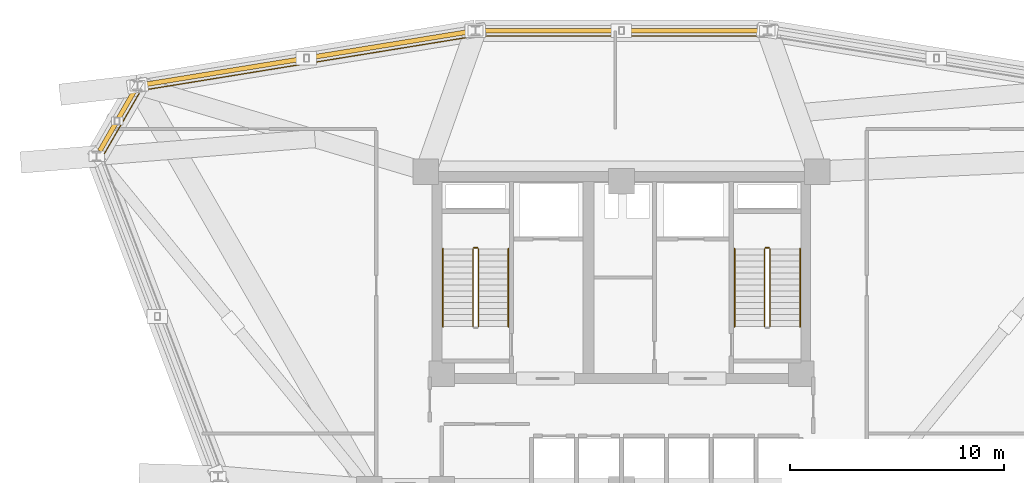
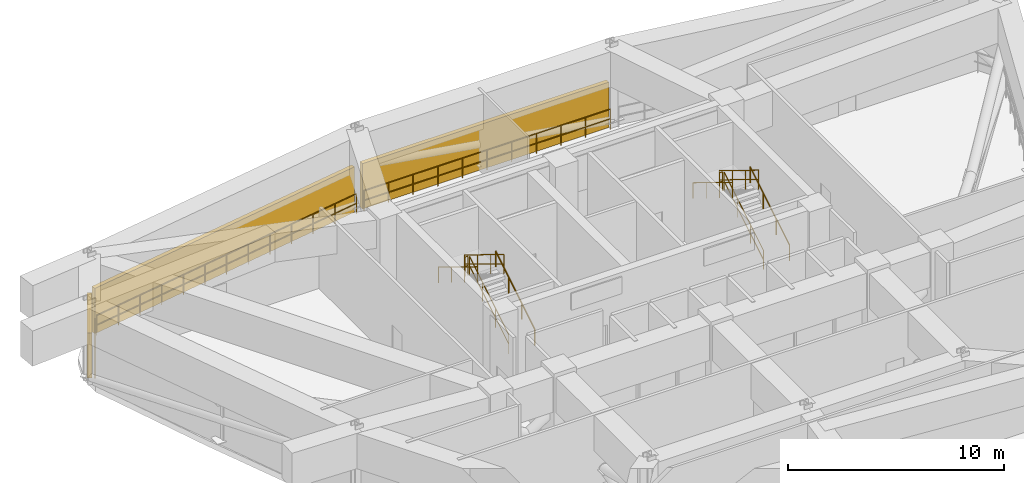
# One storey, part 12 of 13: 13 railings, 3 shading devices.
"""IFC4 building model written with IfcOpenShell, lengths in metres."""

from ifc_helpers import new_model, si_unit, derived_unit, direction, frame, origin, origin_2d, place, context, subcontext, project, spatial, polyline, circle, outline, extrude, material, layer, layer_set, type_object, element, save


model = new_model("IFC4")

# Units and contexts
model_context = context("Model", 3, precision=1e-05, world=origin(), true_north=direction((0.0, 1.0)))
body_context = subcontext(model_context, "Body", "Model", "MODEL_VIEW")
ifc_project = project(units=[si_unit("LENGTHUNIT", "METRE"), si_unit("AREAUNIT", "SQUARE_METRE"), si_unit("VOLUMEUNIT", "CUBIC_METRE"), si_unit("PLANEANGLEUNIT", "RADIAN"), si_unit("MASSUNIT", "GRAM", prefix="KILO"), derived_unit("THERMALTRANSMITTANCEUNIT", [(si_unit("POWERUNIT", "WATT"), 1), (si_unit("LENGTHUNIT", "METRE"), -2), (si_unit("THERMODYNAMICTEMPERATUREUNIT", "KELVIN"), -1)])], contexts=[model_context])

# Site, building, storey
site_placement = place(None, origin())
site = spatial("IfcSite", under=ifc_project, at=site_placement, CompositionType="ELEMENT")
building_placement = place(site_placement, origin())
building = spatial("IfcBuilding", under=site, at=building_placement, Name="Korsvarv Bourse and Concert Hall", CompositionType="ELEMENT")
storey_placement = place(building_placement, frame((0.0, 0.0, 131.39990234375)))
storey = spatial("IfcBuildingStorey", under=building, at=storey_placement, Name="L33", CompositionType="ELEMENT", Elevation=131.39990234375)

# Railings
ifc_material_1 = material(Name="Laminated safety glass and stainless Steel S355 balustrade", Category="steel")
railing_type_1 = type_object("IfcRailingType", Name="RL-BAL-EXT", PredefinedType="BALUSTRADE", material=ifc_material_1)
railing_1_placement = place(storey_placement, frame((42.59765625, 53.59130859375, 0.0)))
element("IfcRailing", 1, at=railing_1_placement, inside=storey, type_object=railing_type_1, Name="L33 Refuge Band Perimeter Safety Balustrade 3", PredefinedType="BALUSTRADE", context=body_context, shape_type="SweptSolid", body=[
    extrude(circle(Radius=0.02392578125, at=origin_2d()), frame((0.0, 0.0, 1.1259765625), z_axis=(-1.0, 0.0, 0.0), x_axis=(0.0, -1.0, 0.0)), (0.0, 0.0, 1.0), 13.1953125),
    extrude(circle(Radius=0.02392578125, at=origin_2d()), frame((0.0, 0.0, 0.574951171875), z_axis=(-1.0, 0.0, 0.0), x_axis=(0.0, -1.0, 0.0)), (0.0, 0.0, 1.0), 13.1953125),
    extrude(circle(Radius=0.02099609375, at=origin_2d()), origin(), (0.0, 0.0, 1.0), 1.101806640625),
    extrude(circle(Radius=0.02099609375, at=origin_2d()), frame((-1.319580078125, 0.0, 0.0)), (0.0, 0.0, 1.0), 1.101806640625),
    extrude(circle(Radius=0.02099609375, at=origin_2d()), frame((-2.63916015625, 0.0, 0.0)), (0.0, 0.0, 1.0), 1.101806640625),
    extrude(circle(Radius=0.02099609375, at=origin_2d()), frame((-3.95849609375, 0.0, 0.0)), (0.0, 0.0, 1.0), 1.101806640625),
    extrude(circle(Radius=0.02099609375, at=origin_2d()), frame((-5.278076171875, 0.0, 0.0)), (0.0, 0.0, 1.0), 1.101806640625),
    extrude(circle(Radius=0.02099609375, at=origin_2d()), frame((-6.59765625, 0.0, 0.0)), (0.0, 0.0, 1.0), 1.101806640625),
    extrude(circle(Radius=0.02099609375, at=origin_2d()), frame((-7.917236328125, 0.0, 0.0)), (0.0, 0.0, 1.0), 1.101806640625),
    extrude(circle(Radius=0.02099609375, at=origin_2d()), frame((-9.23681640625, 0.0, 0.0)), (0.0, 0.0, 1.0), 1.101806640625),
    extrude(circle(Radius=0.02099609375, at=origin_2d()), frame((-10.55615234375, 0.0, 0.0)), (0.0, 0.0, 1.0), 1.101806640625),
    extrude(circle(Radius=0.02099609375, at=origin_2d()), frame((-11.875732421875, 0.0, 0.0)), (0.0, 0.0, 1.0), 1.101806640625),
    extrude(circle(Radius=0.02099609375, at=origin_2d()), frame((-13.1953125, 0.0, 0.0)), (0.0, 0.0, 1.0), 1.101806640625),
])
railing_2_placement = place(storey_placement, frame((28.984375, 53.55712890625, 0.0)))
element("IfcRailing", 2, at=railing_2_placement, inside=storey, type_object=railing_type_1, Name="L33 Refuge Band Perimeter Safety Balustrade 4", PredefinedType="BALUSTRADE", context=body_context, shape_type="SweptSolid", body=[
    extrude(circle(Radius=0.02392578125, at=origin_2d()), frame((0.0, 0.0, 1.1259765625), z_axis=(-0.987036262607, -0.160497402778, 0.0), x_axis=(0.160497402778, -0.987036262607, 0.0)), (0.0, 0.0, 1.0), 15.55078125),
    extrude(circle(Radius=0.02392578125, at=origin_2d()), frame((0.0, 0.0, 0.574951171875), z_axis=(-0.987036262607, -0.160497402778, 0.0), x_axis=(0.160497402778, -0.987036262607, 0.0)), (0.0, 0.0, 1.0), 15.55078125),
    extrude(circle(Radius=0.02099609375, at=origin_2d()), origin(), (0.0, 0.0, 1.0), 1.101806640625),
    extrude(circle(Radius=0.02099609375, at=origin_2d()), frame((-1.279052734375, -0.2080078125, 0.0)), (0.0, 0.0, 1.0), 1.101806640625),
    extrude(circle(Radius=0.02099609375, at=origin_2d()), frame((-2.55810546875, -0.416015625, 0.0)), (0.0, 0.0, 1.0), 1.101806640625),
    extrude(circle(Radius=0.02099609375, at=origin_2d()), frame((-3.83740234375, -0.6240234375, 0.0)), (0.0, 0.0, 1.0), 1.101806640625),
    extrude(circle(Radius=0.02099609375, at=origin_2d()), frame((-5.116455078125, -0.83203125, 0.0)), (0.0, 0.0, 1.0), 1.101806640625),
    extrude(circle(Radius=0.02099609375, at=origin_2d()), frame((-6.3955078125, -1.0400390625, 0.0)), (0.0, 0.0, 1.0), 1.101806640625),
    extrude(circle(Radius=0.02099609375, at=origin_2d()), frame((-7.674560546875, -1.248046875, 0.0)), (0.0, 0.0, 1.0), 1.101806640625),
    extrude(circle(Radius=0.02099609375, at=origin_2d()), frame((-8.95361328125, -1.455810546875, 0.0)), (0.0, 0.0, 1.0), 1.101806640625),
    extrude(circle(Radius=0.02099609375, at=origin_2d()), frame((-10.232666015625, -1.663818359375, 0.0)), (0.0, 0.0, 1.0), 1.101806640625),
    extrude(circle(Radius=0.02099609375, at=origin_2d()), frame((-11.51171875, -1.871826171875, 0.0)), (0.0, 0.0, 1.0), 1.101806640625),
    extrude(circle(Radius=0.02099609375, at=origin_2d()), frame((-12.791015625, -2.079833984375, 0.0)), (0.0, 0.0, 1.0), 1.101806640625),
    extrude(circle(Radius=0.02099609375, at=origin_2d()), frame((-14.070068359375, -2.287841796875, 0.0)), (0.0, 0.0, 1.0), 1.101806640625),
    extrude(circle(Radius=0.02099609375, at=origin_2d()), frame((-15.34912109375, -2.495849609375, 0.0)), (0.0, 0.0, 1.0), 1.101806640625),
])
railing_3_placement = place(storey_placement, frame((13.439697265625, 50.898193359375, 0.0)))
element("IfcRailing", 3, at=railing_3_placement, inside=storey, type_object=railing_type_1, Name="L33 Refuge Band Perimeter Safety Balustrade 5", PredefinedType="BALUSTRADE", context=body_context, shape_type="SweptSolid", body=[
    extrude(circle(Radius=0.02392578125, at=origin_2d()), frame((0.0, 0.0, 1.1259765625), z_axis=(-0.499991708921, -0.866030190588, 0.0), x_axis=(0.866030190588, -0.499991708921, 0.0)), (0.0, 0.0, 1.0), 3.244140625),
    extrude(circle(Radius=0.02392578125, at=origin_2d()), frame((0.0, 0.0, 0.574951171875), z_axis=(-0.499991708921, -0.866030190588, 0.0), x_axis=(0.866030190588, -0.499991708921, 0.0)), (0.0, 0.0, 1.0), 3.244140625),
    extrude(circle(Radius=0.02099609375, at=origin_2d()), origin(), (0.0, 0.0, 1.0), 1.101806640625),
    extrude(circle(Radius=0.02099609375, at=origin_2d()), frame((-0.540771484375, -0.9365234375, 0.0)), (0.0, 0.0, 1.0), 1.101806640625),
    extrude(circle(Radius=0.02099609375, at=origin_2d()), frame((-1.081298828125, -1.873046875, 0.0)), (0.0, 0.0, 1.0), 1.101806640625),
    extrude(circle(Radius=0.02099609375, at=origin_2d()), frame((-1.6220703125, -2.8095703125, 0.0)), (0.0, 0.0, 1.0), 1.101806640625),
])
ifc_material_2 = material(Name="Painted Steel S355 stair well guardrail", Category="steel")
railing_type_2 = type_object("IfcRailingType", Name="RL-ST-GRD", PredefinedType="GUARDRAIL", material=ifc_material_2)
railing_4_placement = place(storey_placement, frame((29.31005859375, 40.0, 0.171630859375)))
element("IfcRailing", 4, at=railing_4_placement, inside=storey, type_object=railing_type_2, Name="L33 ST-T1 stair guard 1", PredefinedType="GUARDRAIL", context=body_context, shape_type="SweptSolid", body=[
    extrude(circle(Radius=0.02392578125, at=origin_2d()), frame((0.0, 0.0, 1.076171875), z_axis=(0.0, 0.852850264322, 0.5221555579), x_axis=(-1.0, 0.0, 0.0)), (0.0, 0.0, 1.0), 4.267822265625),
    extrude(circle(Radius=0.02392578125, at=origin_2d()), frame((0.0, 0.0, 0.550048828125), z_axis=(0.0, 0.852850264322, 0.5221555579), x_axis=(-1.0, 0.0, 0.0)), (0.0, 0.0, 1.0), 4.267822265625),
    extrude(circle(Radius=0.02099609375, at=origin_2d()), origin(), (0.0, 0.0, 1.0), 1.052001953125),
    extrude(circle(Radius=0.02099609375, at=origin_2d()), frame((0.0, 1.21337890625, 0.742919921875)), (0.0, 0.0, 1.0), 1.052001953125),
    extrude(circle(Radius=0.02099609375, at=origin_2d()), frame((0.0, 2.426513671875, 1.485595703125)), (0.0, 0.0, 1.0), 1.052001953125),
    extrude(circle(Radius=0.02099609375, at=origin_2d()), frame((0.0, 3.639892578125, 2.228515625)), (0.0, 0.0, 1.0), 1.052001953125),
])
railing_5_placement = place(storey_placement, frame((29.260009765625, 43.68994140625, 2.400146484375)))
element("IfcRailing", 5, at=railing_5_placement, inside=storey, type_object=railing_type_2, Name="L33 ST-T1 stair guard 2", PredefinedType="GUARDRAIL", context=body_context, shape_type="SweptSolid", body=[
    extrude(circle(Radius=0.02392578125, at=origin_2d()), frame((0.0, 0.0, 1.076171875), z_axis=(-1.0, 0.0, 0.0), x_axis=(0.0, -1.0, 0.0)), (0.0, 0.0, 1.0), 0.159912109375),
    extrude(circle(Radius=0.02392578125, at=origin_2d()), frame((0.0, 0.0, 0.550048828125), z_axis=(-1.0, 0.0, 0.0), x_axis=(0.0, -1.0, 0.0)), (0.0, 0.0, 1.0), 0.159912109375),
    extrude(circle(Radius=0.02099609375, at=origin_2d()), origin(), (0.0, 0.0, 1.0), 1.052001953125),
    extrude(circle(Radius=0.02099609375, at=origin_2d()), frame((-0.159912109375, 0.0, 0.0)), (0.0, 0.0, 1.0), 1.052001953125),
])
railing_6_placement = place(storey_placement, frame((29.050048828125, 43.639892578125, 2.571533203125)))
element("IfcRailing", 6, at=railing_6_placement, inside=storey, type_object=railing_type_2, Name="L33 ST-T1 stair guard 3", PredefinedType="GUARDRAIL", context=body_context, shape_type="SweptSolid", body=[
    extrude(circle(Radius=0.02392578125, at=origin_2d()), frame((0.0, 0.0, 1.076171875), z_axis=(0.0, -0.852850264322, 0.5221555579), x_axis=(1.0, 0.0, 0.0)), (0.0, 0.0, 1.0), 4.267822265625),
    extrude(circle(Radius=0.02392578125, at=origin_2d()), frame((0.0, 0.0, 0.550048828125), z_axis=(0.0, -0.852850264322, 0.5221555579), x_axis=(1.0, 0.0, 0.0)), (0.0, 0.0, 1.0), 4.267822265625),
    extrude(circle(Radius=0.02099609375, at=origin_2d()), origin(), (0.0, 0.0, 1.0), 1.052001953125),
    extrude(circle(Radius=0.02099609375, at=origin_2d()), frame((0.0, -1.21337890625, 0.742919921875)), (0.0, 0.0, 1.0), 1.052001953125),
    extrude(circle(Radius=0.02099609375, at=origin_2d()), frame((0.0, -2.426513671875, 1.485595703125)), (0.0, 0.0, 1.0), 1.052001953125),
    extrude(circle(Radius=0.02099609375, at=origin_2d()), frame((0.0, -3.639892578125, 2.228515625)), (0.0, 0.0, 1.0), 1.052001953125),
])
railing_7_placement = place(storey_placement, frame((42.949951171875, 40.0, 0.171630859375)))
element("IfcRailing", 7, at=railing_7_placement, inside=storey, type_object=railing_type_2, Name="L33 ST-T2 stair guard 1", PredefinedType="GUARDRAIL", context=body_context, shape_type="SweptSolid", body=[
    extrude(circle(Radius=0.02392578125, at=origin_2d()), frame((0.0, 0.0, 1.076171875), z_axis=(0.0, 0.852850264322, 0.5221555579), x_axis=(-1.0, 0.0, 0.0)), (0.0, 0.0, 1.0), 4.267822265625),
    extrude(circle(Radius=0.02392578125, at=origin_2d()), frame((0.0, 0.0, 0.550048828125), z_axis=(0.0, 0.852850264322, 0.5221555579), x_axis=(-1.0, 0.0, 0.0)), (0.0, 0.0, 1.0), 4.267822265625),
    extrude(circle(Radius=0.02099609375, at=origin_2d()), origin(), (0.0, 0.0, 1.0), 1.052001953125),
    extrude(circle(Radius=0.02099609375, at=origin_2d()), frame((0.0, 1.21337890625, 0.742919921875)), (0.0, 0.0, 1.0), 1.052001953125),
    extrude(circle(Radius=0.02099609375, at=origin_2d()), frame((0.0, 2.426513671875, 1.485595703125)), (0.0, 0.0, 1.0), 1.052001953125),
    extrude(circle(Radius=0.02099609375, at=origin_2d()), frame((0.0, 3.639892578125, 2.228515625)), (0.0, 0.0, 1.0), 1.052001953125),
])
railing_8_placement = place(storey_placement, frame((42.89990234375, 43.68994140625, 2.400146484375)))
element("IfcRailing", 8, at=railing_8_placement, inside=storey, type_object=railing_type_2, Name="L33 ST-T2 stair guard 2", PredefinedType="GUARDRAIL", context=body_context, shape_type="SweptSolid", body=[
    extrude(circle(Radius=0.02392578125, at=origin_2d()), frame((0.0, 0.0, 1.076171875), z_axis=(-1.0, 0.0, 0.0), x_axis=(0.0, -1.0, 0.0)), (0.0, 0.0, 1.0), 0.159912109375),
    extrude(circle(Radius=0.02392578125, at=origin_2d()), frame((0.0, 0.0, 0.550048828125), z_axis=(-1.0, 0.0, 0.0), x_axis=(0.0, -1.0, 0.0)), (0.0, 0.0, 1.0), 0.159912109375),
    extrude(circle(Radius=0.02099609375, at=origin_2d()), origin(), (0.0, 0.0, 1.0), 1.052001953125),
    extrude(circle(Radius=0.02099609375, at=origin_2d()), frame((-0.159912109375, 0.0, 0.0)), (0.0, 0.0, 1.0), 1.052001953125),
])
railing_9_placement = place(storey_placement, frame((42.68994140625, 43.639892578125, 2.571533203125)))
element("IfcRailing", 9, at=railing_9_placement, inside=storey, type_object=railing_type_2, Name="L33 ST-T2 stair guard 3", PredefinedType="GUARDRAIL", context=body_context, shape_type="SweptSolid", body=[
    extrude(circle(Radius=0.02392578125, at=origin_2d()), frame((0.0, 0.0, 1.076171875), z_axis=(0.0, -0.852850264322, 0.5221555579), x_axis=(1.0, 0.0, 0.0)), (0.0, 0.0, 1.0), 4.267822265625),
    extrude(circle(Radius=0.02392578125, at=origin_2d()), frame((0.0, 0.0, 0.550048828125), z_axis=(0.0, -0.852850264322, 0.5221555579), x_axis=(1.0, 0.0, 0.0)), (0.0, 0.0, 1.0), 4.267822265625),
    extrude(circle(Radius=0.02099609375, at=origin_2d()), origin(), (0.0, 0.0, 1.0), 1.052001953125),
    extrude(circle(Radius=0.02099609375, at=origin_2d()), frame((0.0, -1.21337890625, 0.742919921875)), (0.0, 0.0, 1.0), 1.052001953125),
    extrude(circle(Radius=0.02099609375, at=origin_2d()), frame((0.0, -2.426513671875, 1.485595703125)), (0.0, 0.0, 1.0), 1.052001953125),
    extrude(circle(Radius=0.02099609375, at=origin_2d()), frame((0.0, -3.639892578125, 2.228515625)), (0.0, 0.0, 1.0), 1.052001953125),
])
ifc_material_3 = material(Name="Brushed stainless Steel S355 tubular handrail", Category="steel")
railing_type_3 = type_object("IfcRailingType", Name="RL-ST-HND", PredefinedType="HANDRAIL", material=ifc_material_3)
railing_10_placement = place(storey_placement, frame((30.7099609375, 40.0, 0.171630859375)))
element("IfcRailing", 10, at=railing_10_placement, inside=storey, type_object=railing_type_3, Name="L33 ST-T1 stair handrail 1", PredefinedType="HANDRAIL", context=body_context, shape_type="SweptSolid", body=[
    extrude(circle(Radius=0.02392578125, at=origin_2d()), frame((0.0, 0.0, 0.8759765625), z_axis=(0.0, 0.852850264322, 0.5221555579), x_axis=(-1.0, 0.0, 0.0)), (0.0, 0.0, 1.0), 4.267822265625),
    extrude(circle(Radius=0.02099609375, at=origin_2d()), origin(), (0.0, 0.0, 1.0), 0.851806640625),
    extrude(circle(Radius=0.02099609375, at=origin_2d()), frame((0.0, 1.21337890625, 0.742919921875)), (0.0, 0.0, 1.0), 0.851806640625),
    extrude(circle(Radius=0.02099609375, at=origin_2d()), frame((0.0, 2.426513671875, 1.485595703125)), (0.0, 0.0, 1.0), 0.851806640625),
    extrude(circle(Radius=0.02099609375, at=origin_2d()), frame((0.0, 3.639892578125, 2.228515625)), (0.0, 0.0, 1.0), 0.851806640625),
])
railing_11_placement = place(storey_placement, frame((27.64990234375, 43.639892578125, 2.571533203125)))
element("IfcRailing", 11, at=railing_11_placement, inside=storey, type_object=railing_type_3, Name="L33 ST-T1 stair handrail 2", PredefinedType="HANDRAIL", context=body_context, shape_type="SweptSolid", body=[
    extrude(circle(Radius=0.02392578125, at=origin_2d()), frame((0.0, 0.0, 0.8759765625), z_axis=(0.0, -0.852850264322, 0.5221555579), x_axis=(1.0, 0.0, 0.0)), (0.0, 0.0, 1.0), 4.267822265625),
    extrude(circle(Radius=0.02099609375, at=origin_2d()), origin(), (0.0, 0.0, 1.0), 0.851806640625),
    extrude(circle(Radius=0.02099609375, at=origin_2d()), frame((0.0, -1.21337890625, 0.742919921875)), (0.0, 0.0, 1.0), 0.851806640625),
    extrude(circle(Radius=0.02099609375, at=origin_2d()), frame((0.0, -2.426513671875, 1.485595703125)), (0.0, 0.0, 1.0), 0.851806640625),
    extrude(circle(Radius=0.02099609375, at=origin_2d()), frame((0.0, -3.639892578125, 2.228515625)), (0.0, 0.0, 1.0), 0.851806640625),
])
railing_12_placement = place(storey_placement, frame((44.35009765625, 40.0, 0.171630859375)))
element("IfcRailing", 12, at=railing_12_placement, inside=storey, type_object=railing_type_3, Name="L33 ST-T2 stair handrail 1", PredefinedType="HANDRAIL", context=body_context, shape_type="SweptSolid", body=[
    extrude(circle(Radius=0.02392578125, at=origin_2d()), frame((0.0, 0.0, 0.8759765625), z_axis=(0.0, 0.852850264322, 0.5221555579), x_axis=(-1.0, 0.0, 0.0)), (0.0, 0.0, 1.0), 4.267822265625),
    extrude(circle(Radius=0.02099609375, at=origin_2d()), origin(), (0.0, 0.0, 1.0), 0.851806640625),
    extrude(circle(Radius=0.02099609375, at=origin_2d()), frame((0.0, 1.21337890625, 0.742919921875)), (0.0, 0.0, 1.0), 0.851806640625),
    extrude(circle(Radius=0.02099609375, at=origin_2d()), frame((0.0, 2.426513671875, 1.485595703125)), (0.0, 0.0, 1.0), 0.851806640625),
    extrude(circle(Radius=0.02099609375, at=origin_2d()), frame((0.0, 3.639892578125, 2.228515625)), (0.0, 0.0, 1.0), 0.851806640625),
])
railing_13_placement = place(storey_placement, frame((41.2900390625, 43.639892578125, 2.571533203125)))
element("IfcRailing", 13, at=railing_13_placement, inside=storey, type_object=railing_type_3, Name="L33 ST-T2 stair handrail 2", PredefinedType="HANDRAIL", context=body_context, shape_type="SweptSolid", body=[
    extrude(circle(Radius=0.02392578125, at=origin_2d()), frame((0.0, 0.0, 0.8759765625), z_axis=(0.0, -0.852850264322, 0.5221555579), x_axis=(1.0, 0.0, 0.0)), (0.0, 0.0, 1.0), 4.267822265625),
    extrude(circle(Radius=0.02099609375, at=origin_2d()), origin(), (0.0, 0.0, 1.0), 0.851806640625),
    extrude(circle(Radius=0.02099609375, at=origin_2d()), frame((0.0, -1.21337890625, 0.742919921875)), (0.0, 0.0, 1.0), 0.851806640625),
    extrude(circle(Radius=0.02099609375, at=origin_2d()), frame((0.0, -2.426513671875, 1.485595703125)), (0.0, 0.0, 1.0), 0.851806640625),
    extrude(circle(Radius=0.02099609375, at=origin_2d()), frame((0.0, -3.639892578125, 2.228515625)), (0.0, 0.0, 1.0), 0.851806640625),
])

# Shading devices
ifc_material_4 = material(Name="Marine-grade powder-coated aluminium acoustic storm louvre", Category="aluminium")
ifc_layer = layer(ifc_material_4, 0.219970703125)
ifc_layer_set = layer_set([ifc_layer], Name="Marine-grade powder-coated aluminium acoustic storm louvre")
shading_device_type = type_object("IfcShadingDeviceType", Name="SHD-LVR-1", PredefinedType="JALOUSIE", material=ifc_layer_set)
shading_device_1_placement = place(storey_placement, origin())
element("IfcShadingDevice", 14, at=shading_device_1_placement, inside=storey, type_object=shading_device_type, Name="L33 Refuge Acoustic Storm Louvre Bay 3", PredefinedType="JALOUSIE", context=body_context, shape_type="SweptSolid", body=[
    extrude(outline(polyline([(42.59765625, 53.731201171875), (29.40234375, 53.731201171875), (29.40234375, 53.951171875), (42.59765625, 53.951171875), (42.59765625, 53.731201171875)])), origin(), (0.0, 0.0, 1.0), 2.570068359375),
])
shading_device_2_placement = place(storey_placement, origin())
element("IfcShadingDevice", 15, at=shading_device_2_placement, inside=storey, type_object=shading_device_type, Name="L33 Refuge Acoustic Storm Louvre Bay 4", PredefinedType="JALOUSIE", context=body_context, shape_type="SweptSolid", body=[
    extrude(outline(polyline([(28.9619140625, 53.6953125), (13.61279296875, 51.199462890625), (13.577392578125, 51.41650390625), (28.926513671875, 53.91259765625), (28.9619140625, 53.6953125)])), origin(), (0.0, 0.0, 1.0), 2.570068359375),
])
shading_device_3_placement = place(storey_placement, origin())
element("IfcShadingDevice", 16, at=shading_device_3_placement, inside=storey, type_object=shading_device_type, Name="L33 Refuge Acoustic Storm Louvre Bay 5", PredefinedType="JALOUSIE", context=body_context, shape_type="SweptSolid", body=[
    extrude(outline(polyline([(13.318603515625, 50.96826171875), (11.6962890625, 48.15869140625), (11.505859375, 48.2685546875), (13.1279296875, 51.078369140625), (13.318603515625, 50.96826171875)])), origin(), (0.0, 0.0, 1.0), 2.570068359375),
])

save(model, "model.ifc")
